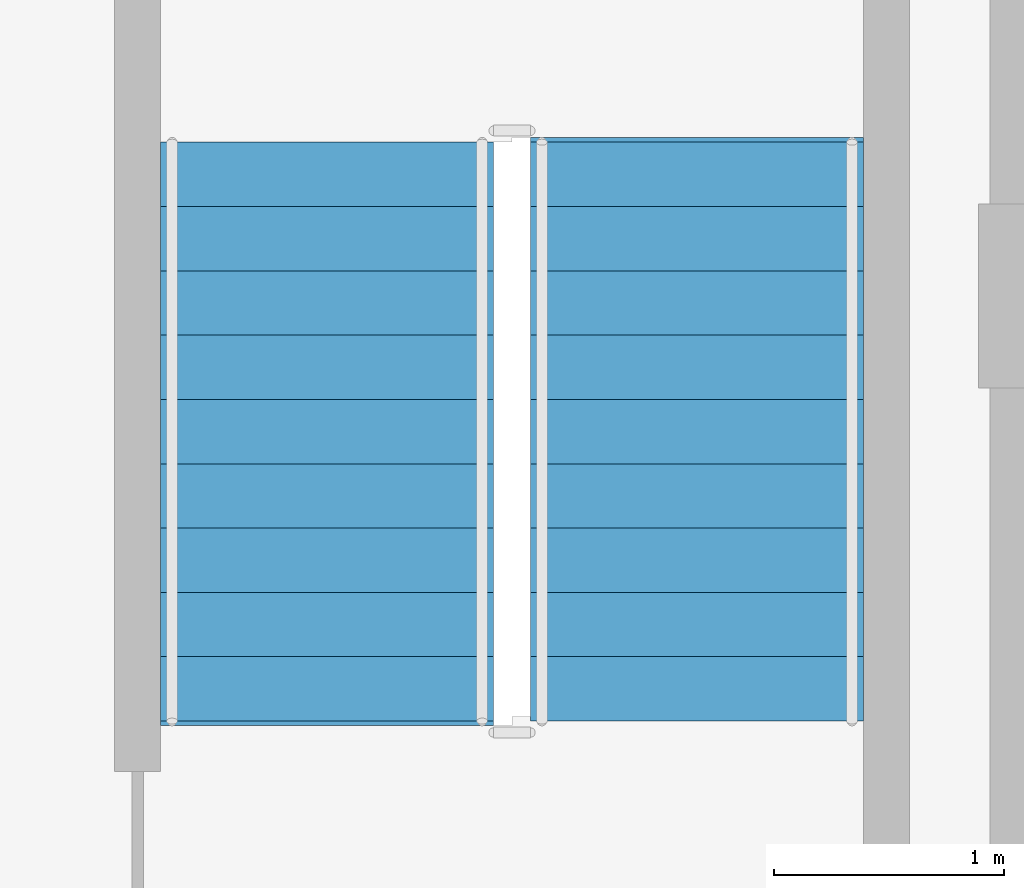
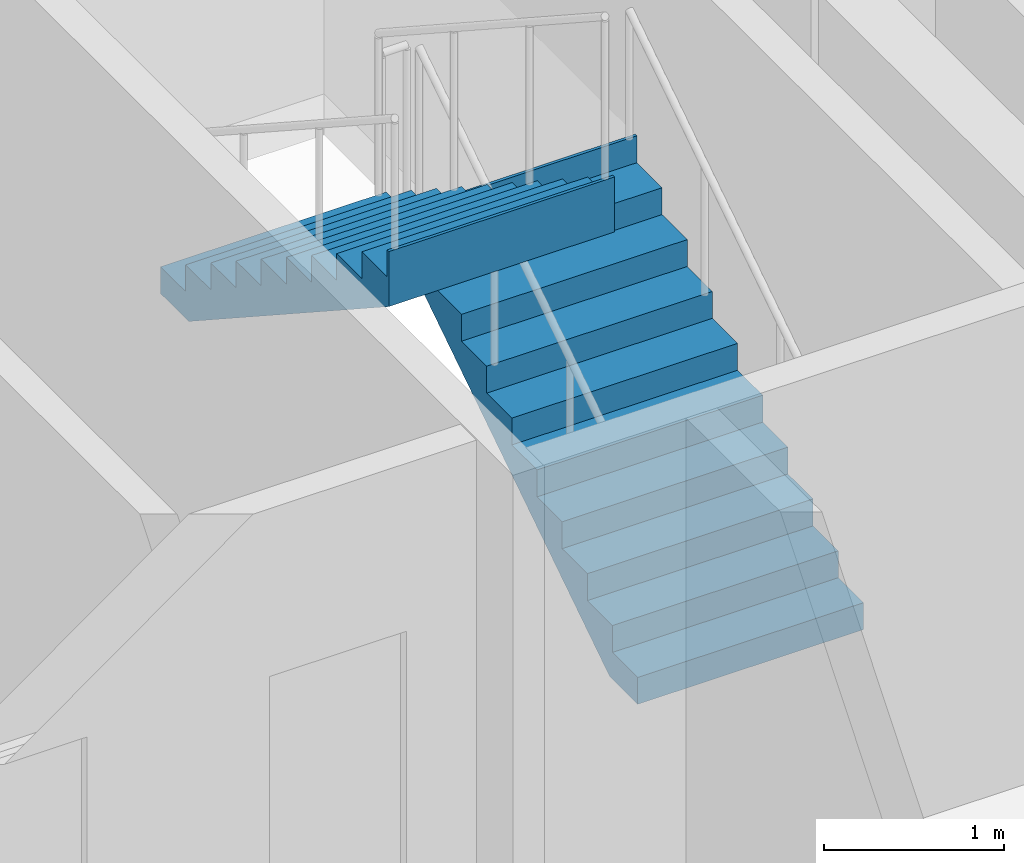
# One storey, part 9 of 16: 2 stair flights, 1 element without a shape of its own.
"""IFC4 building model written with IfcOpenShell, lengths in metres."""

from ifc_helpers import new_model, si_unit, direction, frame, origin, place, context, subcontext, project, spatial, polyline, outline, extrude, material, type_object, element, aggregate, save


model = new_model("IFC4")

# Units and contexts
model_context = context("Model", 3, precision=1e-05, world=origin(), true_north=direction((0.0, 1.0)))
body_context = subcontext(model_context, "Body", "Model", "MODEL_VIEW")
ifc_project = project(units=[si_unit("LENGTHUNIT", "METRE"), si_unit("AREAUNIT", "SQUARE_METRE"), si_unit("VOLUMEUNIT", "CUBIC_METRE"), si_unit("PLANEANGLEUNIT", "RADIAN"), si_unit("MASSUNIT", "GRAM", prefix="KILO")], contexts=[model_context])

# Site, building, storey
site_placement = place(None, origin())
site = spatial("IfcSite", under=ifc_project, at=site_placement, CompositionType="ELEMENT")
building_placement = place(site_placement, origin())
building = spatial("IfcBuilding", under=site, at=building_placement, Name="Nuvemarco Arch Tower", CompositionType="ELEMENT")
storey_placement = place(building_placement, frame((0.0, 0.0, 249.300048828125)))
storey = spatial("IfcBuildingStorey", under=building, at=storey_placement, Name="L66", CompositionType="ELEMENT", Elevation=249.300048828125)

# Stair, stair flights
ifc_material = material(Name="Precast concrete C45/55", Category="concrete")
stair_type = type_object("IfcStairType", Name="ST-CORE-20R", PredefinedType="HALF_TURN_STAIR", material=ifc_material)
stair_placement = place(storey_placement, origin())
stair = element("IfcStair", 1, at=stair_placement, inside=storey, type_object=stair_type, Name="L66 Protected Exit Stair ST-2", PredefinedType="HALF_TURN_STAIR")
stair_flight_type = type_object("IfcStairFlightType", Name="SF-CORE-20R", PredefinedType="STRAIGHT", material=ifc_material)
stair_flight_1_placement = place(storey_placement, frame((15.875, 2.64990234375, 0.0), z_axis=(0.0, 0.0, 1.0), x_axis=(0.0, 1.0, 0.0)))
stair_flight_1 = element("IfcStairFlight", 2, at=stair_flight_1_placement, type_object=stair_flight_type, Name="ST-20R flight 1", NumberOfRisers=10, NumberOfTreads=9, PredefinedType="STRAIGHT", RiserHeight=0.1825, TreadLength=0.28, context=body_context, shape_type="SweptSolid", body=[
    extrude(outline(polyline([(0.0, 0.0), (0.0, 0.1826171875), (0.280029296875, 0.1826171875), (0.280029296875, 0.364990234375), (0.56005859375, 0.364990234375), (0.56005859375, 0.547607421875), (0.840087890625, 0.547607421875), (0.840087890625, 0.72998046875), (1.1201171875, 0.72998046875), (1.1201171875, 0.91259765625), (1.39990234375, 0.91259765625), (1.39990234375, 1.094970703125), (1.679931640625, 1.094970703125), (1.679931640625, 1.277587890625), (1.9599609375, 1.277587890625), (1.9599609375, 1.4599609375), (2.239990234375, 1.4599609375), (2.239990234375, 1.642578125), (2.52001953125, 1.642578125), (2.52001953125, 1.824951171875), (2.5400390625, 1.824951171875), (2.5400390625, 1.45166015625), (0.312744140625, 0.0), (0.0, 0.0)])), frame((0.0, 0.72509765625, 0.0), z_axis=(0.0, -1.0, 0.0), x_axis=(1.0, 0.0, 0.0)), (0.0, 0.0, 1.0), 1.449951171875),
])
stair_flight_2_placement = place(storey_placement, frame((14.264892578125, 5.169921875, 1.824951171875), z_axis=(0.0, 0.0, 1.0), x_axis=(0.0, -1.0, 0.0)))
stair_flight_2 = element("IfcStairFlight", 3, at=stair_flight_2_placement, type_object=stair_flight_type, Name="ST-20R flight 2", NumberOfRisers=10, NumberOfTreads=9, PredefinedType="STRAIGHT", RiserHeight=0.1825, TreadLength=0.28, context=body_context, shape_type="SweptSolid", body=[
    extrude(outline(polyline([(0.0, 0.0), (0.0, 0.1826171875), (0.280029296875, 0.1826171875), (0.280029296875, 0.364990234375), (0.56005859375, 0.364990234375), (0.56005859375, 0.547607421875), (0.840087890625, 0.547607421875), (0.840087890625, 0.72998046875), (1.1201171875, 0.72998046875), (1.1201171875, 0.91259765625), (1.39990234375, 0.91259765625), (1.39990234375, 1.094970703125), (1.679931640625, 1.094970703125), (1.679931640625, 1.277587890625), (1.9599609375, 1.277587890625), (1.9599609375, 1.4599609375), (2.239990234375, 1.4599609375), (2.239990234375, 1.642578125), (2.52001953125, 1.642578125), (2.52001953125, 1.824951171875), (2.5400390625, 1.824951171875), (2.5400390625, 1.45166015625), (0.312744140625, 0.0), (0.0, 0.0)])), frame((0.0, 0.72509765625, 0.0), z_axis=(0.0, -1.0, 0.0), x_axis=(1.0, 0.0, 0.0)), (0.0, 0.0, 1.0), 1.449951171875),
])
aggregate(stair, [stair_flight_1, stair_flight_2])

save(model, "model.ifc")
